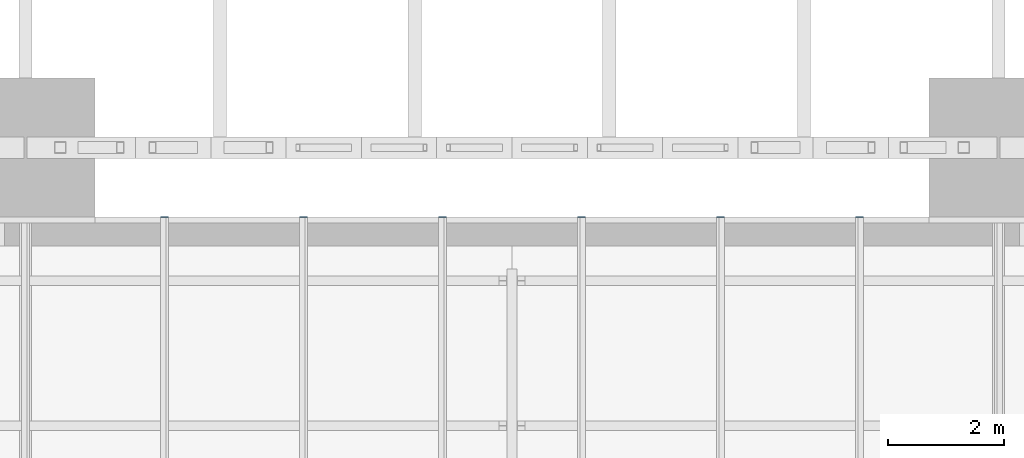
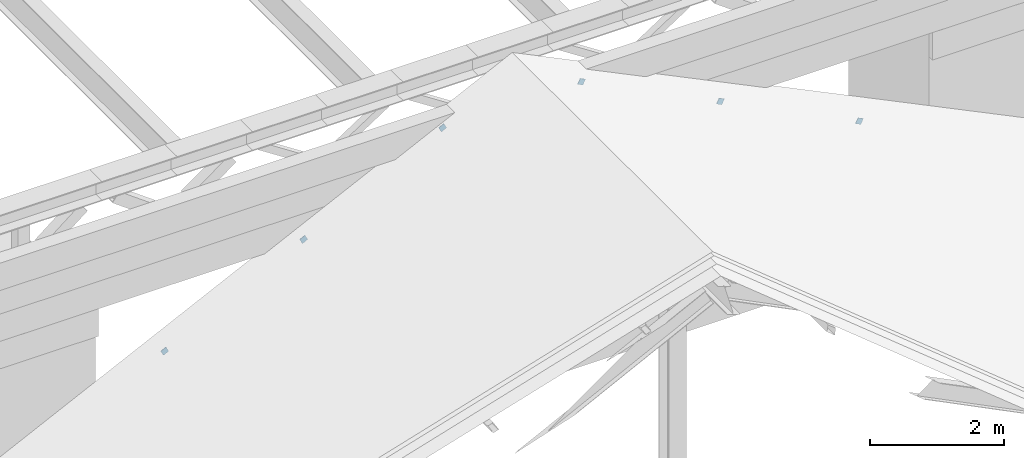
# One storey, part 62 of 93: 6 discrete accessories.
"""IFC4 building model written with IfcOpenShell, lengths in metres."""

from ifc_helpers import new_model, si_unit, direction, frame, origin, origin_2d, place, context, subcontext, project, spatial, rectangle, extrude, material, material_profile, profile_set, type_object, element, save


model = new_model("IFC4")

# Units and contexts
model_context = context("Model", 3, precision=1e-05, world=origin(), true_north=direction((0.0, 1.0)))
body_context = subcontext(model_context, "Body", "Model", "MODEL_VIEW")
ifc_project = project(units=[si_unit("LENGTHUNIT", "METRE"), si_unit("AREAUNIT", "SQUARE_METRE"), si_unit("VOLUMEUNIT", "CUBIC_METRE"), si_unit("PLANEANGLEUNIT", "RADIAN"), si_unit("MASSUNIT", "GRAM", prefix="KILO")], contexts=[model_context])

# Site, building, storey
site_placement = place(None, origin())
site = spatial("IfcSite", under=ifc_project, at=site_placement, CompositionType="ELEMENT")
building_placement = place(site_placement, origin())
building = spatial("IfcBuilding", under=site, at=building_placement, Name="Verrick Yard Athletic Hall", CompositionType="ELEMENT")
storey_placement = place(building_placement, frame((0.0, 0.0, 8.800048828125)))
storey = spatial("IfcBuildingStorey", under=building, at=storey_placement, Name="L02", CompositionType="ELEMENT", Elevation=8.800048828125)

# Discrete accessories
ifc_material = material(Name="Structural steel 350W (CSA G40.21)", Category="steel")
ifc_material_profile = material_profile(ifc_material, rectangle(XDim=0.1015625, YDim=0.1015625, at=origin_2d()), Name="STR End cap plate 102x102x6.4")
ifc_profile_set = profile_set([ifc_material_profile], Name="Structural steel 350W (CSA G40.21)")
discrete_accessory_type = type_object("IfcDiscreteAccessoryType", Name="STR End cap plate 102x102x6.4", PredefinedType="BRACKET", material=ifc_profile_set)
for number, where, z_axis, x_axis, name in (
    (1, (104.800048828125, 18.0, 2.39306640625), (0.0, 1.0, 0.0), (-0.894427191001, 0.0, 0.447213595499), "End cap STR-PU-FE3 B"),
    (2, (97.60009765625, 18.0, 4.793212890625), (0.0, 1.0, 0.0), (-0.894427191001, 0.0, -0.447213595499), "End cap STR-PU-FW1 B"),
    (3, (92.800048828125, 18.0, 2.39306640625), (0.0, 1.0, 0.0), (-0.894427191001, 0.0, -0.447213595499), "End cap STR-PU-FW3 B"),
    (4, (100.0, 18.0, 4.793212890625), (0.0, 1.0, 0.0), (-0.894427191001, 0.0, 0.447213595499), "End cap STR-PU-FE1 B"),
    (5, (102.39990234375, 18.0, 3.59326171875), (0.0, 1.0, 0.0), (-0.894427191001, 0.0, 0.447213595499), "End cap STR-PU-FE2 B"),
    (6, (95.199951171875, 18.0, 3.59326171875), (0.0, 1.0, 0.0), (-0.894427191001, 0.0, -0.447213595499), "End cap STR-PU-FW2 B"),
):
    element("IfcDiscreteAccessory", number, at=place(storey_placement, frame(where, z_axis=z_axis, x_axis=x_axis)), inside=storey, type_object=discrete_accessory_type, Name=name, PredefinedType="BRACKET", context=body_context, shape_type="SweptSolid", body=[
        extrude(rectangle(XDim=0.1015625, YDim=0.1015625, at=origin_2d()), origin(), (0.0, 0.0, 1.0), 0.010009765625),
    ])

save(model, "model.ifc")
